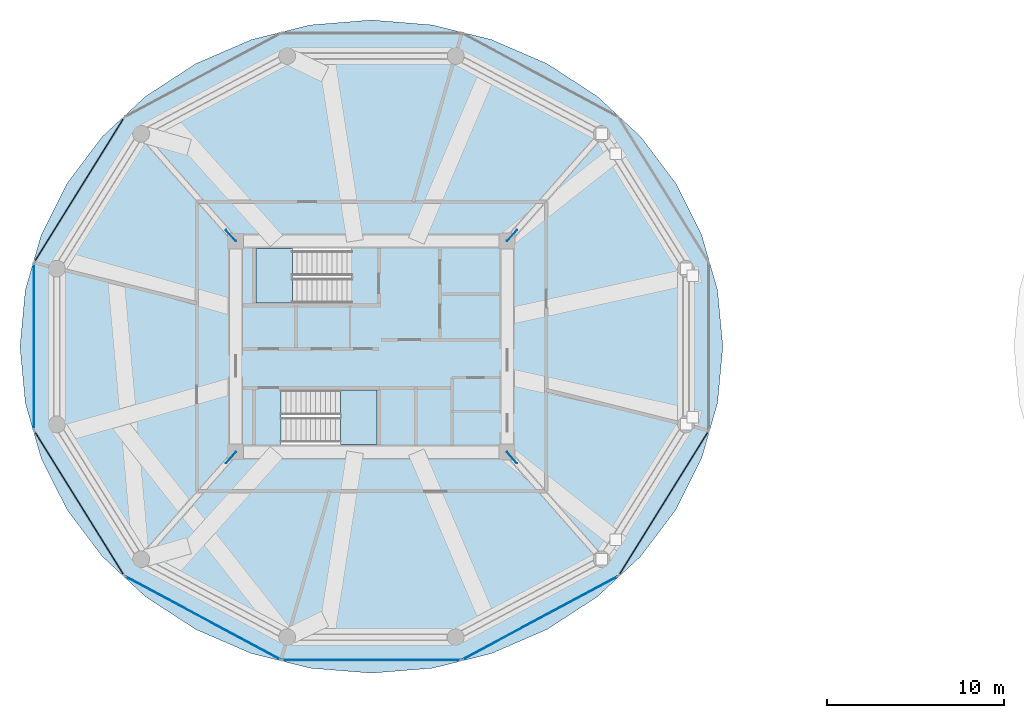
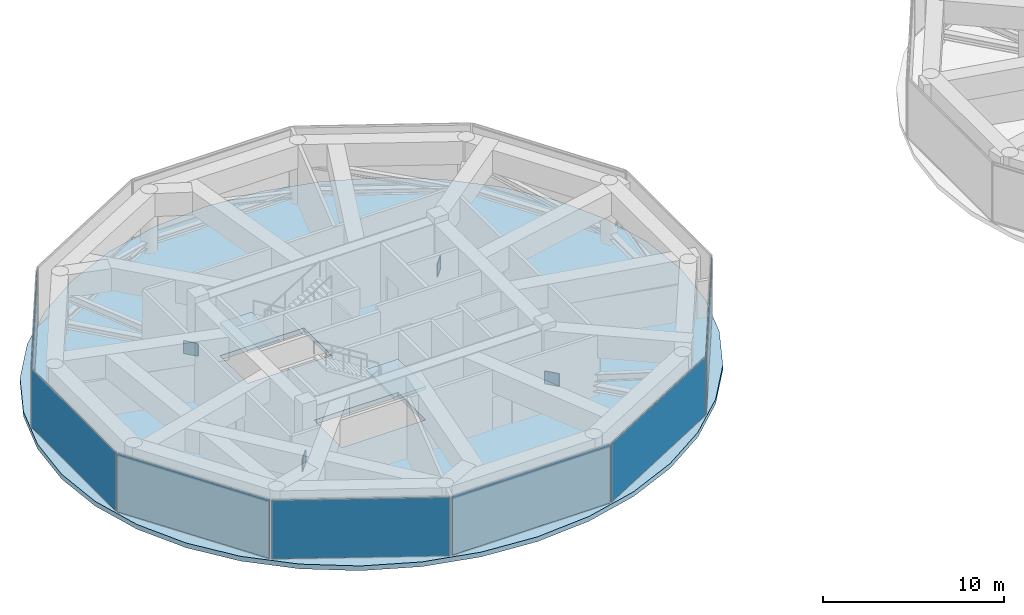
# One storey, part 13 of 22: 11 plates, 3 slabs, 9 elements without a shape of their own.
"""IFC4 building model written with IfcOpenShell, lengths in metres."""

from ifc_helpers import new_model, si_unit, direction, frame, origin, origin_2d, place, context, subcontext, project, spatial, polyline, rectangle, outline, extrude, source, transform, mapped, material, layer, layer_set, type_object, type_shapes, element, aggregate, save


model = new_model("IFC4")

# Units and contexts
model_context = context("Model", 3, precision=1e-05, world=origin(), true_north=direction((0.0, 1.0)))
body_context = subcontext(model_context, "Body", "Model", "MODEL_VIEW")
ifc_project = project(units=[si_unit("LENGTHUNIT", "METRE"), si_unit("AREAUNIT", "SQUARE_METRE"), si_unit("VOLUMEUNIT", "CUBIC_METRE"), si_unit("PLANEANGLEUNIT", "RADIAN"), si_unit("MASSUNIT", "GRAM", prefix="KILO")], contexts=[model_context])

# Site, building, storey
site_placement = place(None, origin())
site = spatial("IfcSite", under=ifc_project, at=site_placement, CompositionType="ELEMENT")
building_placement = place(site_placement, origin())
building = spatial("IfcBuilding", under=site, at=building_placement, Name="Norrkilde Senior Care Towers", CompositionType="ELEMENT")
storey_placement = place(building_placement, frame((0.0, 0.0, 73.449951171875)))
storey = spatial("IfcBuildingStorey", under=building, at=storey_placement, Name="L22", CompositionType="ELEMENT", Elevation=73.449951171875)

# Slab
ifc_material_1 = material(Name="Concrete C50/60", Category="concrete")
ifc_layer_1 = layer(ifc_material_1, 0.320068359375)
ifc_layer_set_1 = layer_set([ifc_layer_1], Name="Concrete C50/60")
slab_type_1 = type_object("IfcSlabType", Name="Podium Clinic Floor Slab 320", PredefinedType="FLOOR", material=ifc_layer_set_1)
slab_1_placement = place(storey_placement, frame((0.0, 0.0, -0.320068359375)))
element("IfcSlab", 1, at=slab_1_placement, inside=storey, type_object=slab_type_1, Name="L22 Drum W Structural Floor Slab", PredefinedType="FLOOR", context=body_context, shape_type="SweptSolid", body=[
    extrude(outline(polyline([(-9.39404296875, -6.293212890625), (-10.852783203125, -9.199951171875), (-12.832275390625, -11.827392578125), (-15.272705078125, -14.09521484375), (-18.10009765625, -15.934814453125), (-21.22802734375, -17.290283203125), (-24.561767578125, -18.120361328125), (-28.0, -18.39990234375), (-31.438232421875, -18.120361328125), (-34.77197265625, -17.290283203125), (-37.89990234375, -15.934814453125), (-40.727294921875, -14.09521484375), (-43.167724609375, -11.827392578125), (-45.147216796875, -9.199951171875), (-46.60595703125, -6.293212890625), (-47.499267578125, -3.195068359375), (-47.800048828125, 0.0), (-47.499267578125, 3.195068359375), (-46.60595703125, 6.293212890625), (-45.147216796875, 9.199951171875), (-43.167724609375, 11.827392578125), (-40.727294921875, 14.09521484375), (-37.89990234375, 15.934814453125), (-34.77197265625, 17.290283203125), (-31.438232421875, 18.120361328125), (-28.0, 18.39990234375), (-24.561767578125, 18.120361328125), (-21.22802734375, 17.290283203125), (-18.10009765625, 15.934814453125), (-15.272705078125, 14.09521484375), (-12.832275390625, 11.827392578125), (-10.852783203125, 9.199951171875), (-9.39404296875, 6.293212890625), (-8.500732421875, 3.195068359375), (-8.199951171875, 0.0), (-8.500732421875, -3.195068359375), (-9.39404296875, -6.293212890625)]), holes=[polyline([(-34.48193359375, 2.468017578125), (-29.117919921875, 2.468017578125), (-29.117919921875, 5.52490234375), (-34.48193359375, 5.52490234375), (-34.48193359375, 2.468017578125)]), polyline([(-27.718017578125, -5.52490234375), (-27.718017578125, -2.468017578125), (-33.08203125, -2.468017578125), (-33.08203125, -5.52490234375), (-27.718017578125, -5.52490234375)])]), origin(), (0.0, 0.0, 1.0), 0.320068359375),
])

# Stair, slab
ifc_material_2 = material(Name="Concrete C45/55", Category="concrete")
stair_type = type_object("IfcStairType", Name="Core Protected Dogleg Stair Refuge 4500", PredefinedType="HALF_TURN_STAIR", material=ifc_material_2)
stair_1_placement = place(storey_placement, origin())
stair_1 = element("IfcStair", 2, at=stair_1_placement, inside=storey, type_object=stair_type, Name="L22 Protected Core Stair W1", PredefinedType="HALF_TURN_STAIR")
ifc_layer_2 = layer(ifc_material_2, 0.199951171875)
ifc_layer_set_2 = layer_set([ifc_layer_2], Name="Concrete C45/55")
slab_type_2 = type_object("IfcSlabType", Name="Stair Landing Slab 200", PredefinedType="LANDING", material=ifc_layer_set_2)
slab_2_placement = place(storey_placement, frame((0.0, 0.0, 2.050048828125)))
slab_2 = element("IfcSlab", 3, at=slab_2_placement, type_object=slab_type_2, Name="ST-W1 landing 1", PredefinedType="LANDING", context=body_context, shape_type="SweptSolid", body=[
    extrude(outline(polyline([(-32.4599609375, 5.52490234375), (-34.5, 5.52490234375), (-34.5, 2.449951171875), (-32.4599609375, 2.449951171875), (-32.4599609375, 5.52490234375)])), origin(), (0.0, 0.0, 1.0), 0.199951171875),
])
aggregate(stair_1, [slab_2])

stair_2_placement = place(storey_placement, origin())
stair_2 = element("IfcStair", 4, at=stair_2_placement, inside=storey, type_object=stair_type, Name="L22 Protected Core Stair W2", PredefinedType="HALF_TURN_STAIR")
slab_3_placement = place(storey_placement, frame((0.0, 0.0, 2.050048828125)))
slab_3 = element("IfcSlab", 5, at=slab_3_placement, type_object=slab_type_2, Name="ST-W2 landing 1", PredefinedType="LANDING", context=body_context, shape_type="SweptSolid", body=[
    extrude(outline(polyline([(-29.739990234375, -5.52490234375), (-27.699951171875, -5.52490234375), (-27.699951171875, -2.449951171875), (-29.739990234375, -2.449951171875), (-29.739990234375, -5.52490234375)])), origin(), (0.0, 0.0, 1.0), 0.199951171875),
])
aggregate(stair_2, [slab_3])

# Plates
ifc_material_3 = material(Name="Steel S355", Category="steel")
ifc_layer_3 = layer(ifc_material_3, 0.034912109375)
ifc_layer_set_3 = layer_set([ifc_layer_3], Name="Steel S355")
plate_type_1 = type_object("IfcPlateType", Name="Truss Node Gusset Plate 35", PredefinedType="USERDEFINED", material=ifc_layer_set_3)
shared_shape_1 = source(origin(), body_context, "Body", "SweptSolid", [
    extrude(rectangle(XDim=0.85009765625, YDim=0.034912109375, at=origin_2d()), origin(), (0.0, 0.0, 1.0), 0.85009765625),
])
type_shapes(plate_type_1, [shared_shape_1])
for number, where, z_axis, x_axis, name in (
    (6, (-35.92138671875, -6.25732421875, 0.125), (0.0, 0.0, 1.0), (-0.661621756455, -0.749837750041, 0.0), "L22 Outrigger Node Assembly ND-1 Gusset Plate"),
    (7, (-20.07861328125, -6.25732421875, 0.125), (0.0, 0.0, 1.0), (0.661621756455, -0.749837750041, 0.0), "L22 Outrigger Node Assembly ND-2 Gusset Plate"),
    (8, (-20.07861328125, 6.25732421875, 0.125), (0.0, 0.0, 1.0), (0.661621756455, 0.749837750041, 0.0), "L22 Outrigger Node Assembly ND-3 Gusset Plate"),
    (9, (-35.92138671875, 6.25732421875, 0.125), (0.0, 0.0, 1.0), (-0.661621756455, 0.749837750041, 0.0), "L22 Outrigger Node Assembly ND-4 Gusset Plate"),
):
    element("IfcPlate", number, at=place(storey_placement, frame(where, z_axis=z_axis, x_axis=x_axis)), inside=storey, type_object=plate_type_1, Name=name, ObjectType="GUSSET_PLATE", PredefinedType="USERDEFINED", context=body_context, shape_type="MappedRepresentation", body=[
        mapped(shared_shape_1, transform((0.0, 0.0, 0.0), x_axis=(1.0, 0.0, 0.0), y_axis=(0.0, 1.0, 0.0), z_axis=(0.0, 0.0, 1.0), scale=1.0)),
    ])

# Curtain wall, plate
ifc_material_4 = material(Name="Triple Low-E Insulated Glazing", Category="glass")
ifc_layer_4 = layer(ifc_material_4, 0.18505859375)
ifc_layer_set_4 = layer_set([ifc_layer_4], Name="Triple Low-E Insulated Glazing")
curtain_wall_type = type_object("IfcCurtainWallType", Name="CW6 Zone 4 Crown Pavilion Curtain Wall", PredefinedType="NOTDEFINED", material=ifc_layer_set_4)
curtain_wall_1_placement = place(storey_placement, origin())
curtain_wall_1 = element("IfcCurtainWall", 10, at=curtain_wall_1_placement, inside=storey, type_object=curtain_wall_type, Name="L22 Drum W Curtain Wall 04", PredefinedType="NOTDEFINED")
ifc_material_5 = material(Name="Architectural Terracotta", Category="masonry")
ifc_layer_5 = layer(ifc_material_5, 0.048095703125)
ifc_layer_set_5 = layer_set([ifc_layer_5], Name="Architectural Terracotta")
plate_type_2 = type_object("IfcPlateType", Name="Insulated Terracotta Spandrel Panel 48", PredefinedType="CURTAIN_PANEL", material=ifc_layer_set_5)
shared_shape_2 = source(origin(), body_context, "Body", "SweptSolid", [
    extrude(rectangle(XDim=9.5087890625, YDim=0.048095703125, at=origin_2d()), origin(), (0.0, 0.0, 1.0), 3.949951171875),
])
plate_1_placement = place(storey_placement, frame((-44.462646484375, 8.82861328125, 0.06494140625), z_axis=(0.0, 0.0, 1.0), x_axis=(0.527900951871, 0.849305943117, 0.0)))
plate_1 = element("IfcPlate", 11, at=plate_1_placement, type_object=plate_type_2, Name="CW-6 panel 1.1", PredefinedType="CURTAIN_PANEL", context=body_context, shape_type="MappedRepresentation", body=[
    mapped(shared_shape_2, transform((0.0, 0.0, 0.0), x_axis=(1.0, 0.0, 0.0), y_axis=(0.0, 1.0, 0.0), z_axis=(0.0, 0.0, 1.0), scale=1.0)),
])
aggregate(curtain_wall_1, [plate_1])

curtain_wall_2_placement = place(storey_placement, origin())
curtain_wall_2 = element("IfcCurtainWall", 12, at=curtain_wall_2_placement, inside=storey, type_object=curtain_wall_type, Name="L22 Drum W Curtain Wall 06", PredefinedType="NOTDEFINED")
plate_2_placement = place(storey_placement, frame((-44.462646484375, -8.82861328125, 0.06494140625), z_axis=(0.0, 0.0, 1.0), x_axis=(-0.527900951871, 0.849305943117, 0.0)))
plate_2 = element("IfcPlate", 13, at=plate_2_placement, type_object=plate_type_2, Name="CW-6 panel 1.1", PredefinedType="CURTAIN_PANEL", context=body_context, shape_type="MappedRepresentation", body=[
    mapped(shared_shape_2, transform((0.0, 0.0, 0.0), x_axis=(1.0, 0.0, 0.0), y_axis=(0.0, 1.0, 0.0), z_axis=(0.0, 0.0, 1.0), scale=1.0)),
])
aggregate(curtain_wall_2, [plate_2])

curtain_wall_3_placement = place(storey_placement, origin())
curtain_wall_3 = element("IfcCurtainWall", 14, at=curtain_wall_3_placement, inside=storey, type_object=curtain_wall_type, Name="L22 Drum W Curtain Wall 10", PredefinedType="NOTDEFINED")
plate_3_placement = place(storey_placement, frame((-11.537353515625, -8.82861328125, 0.06494140625), z_axis=(0.0, 0.0, 1.0), x_axis=(-0.527900951871, -0.849305943117, 0.0)))
plate_3 = element("IfcPlate", 15, at=plate_3_placement, type_object=plate_type_2, Name="CW-6 panel 1.1", PredefinedType="CURTAIN_PANEL", context=body_context, shape_type="MappedRepresentation", body=[
    mapped(shared_shape_2, transform((0.0, 0.0, 0.0), x_axis=(1.0, 0.0, 0.0), y_axis=(0.0, 1.0, 0.0), z_axis=(0.0, 0.0, 1.0), scale=1.0)),
])
aggregate(curtain_wall_3, [plate_3])

curtain_wall_4_placement = place(storey_placement, origin())
curtain_wall_4 = element("IfcCurtainWall", 16, at=curtain_wall_4_placement, inside=storey, type_object=curtain_wall_type, Name="L22 Drum W Curtain Wall 07", PredefinedType="NOTDEFINED")
shared_shape_3 = source(origin(), body_context, "Body", "SweptSolid", [
    extrude(rectangle(XDim=9.870849609375, YDim=0.048095703125, at=origin_2d()), origin(), (0.0, 0.0, 1.0), 3.949951171875),
])
plate_4_placement = place(storey_placement, frame((-37.504638671875, -15.29150390625, 0.06494140625), z_axis=(0.0, 0.0, 1.0), x_axis=(-0.881272866403, 0.472607802456, 0.0)))
plate_4 = element("IfcPlate", 17, at=plate_4_placement, type_object=plate_type_2, Name="CW-6 panel 1.1", PredefinedType="CURTAIN_PANEL", context=body_context, shape_type="MappedRepresentation", body=[
    mapped(shared_shape_3, transform((0.0, 0.0, 0.0), x_axis=(1.0, 0.0, 0.0), y_axis=(0.0, 1.0, 0.0), z_axis=(0.0, 0.0, 1.0), scale=1.0)),
])
aggregate(curtain_wall_4, [plate_4])

curtain_wall_5_placement = place(storey_placement, origin())
curtain_wall_5 = element("IfcCurtainWall", 18, at=curtain_wall_5_placement, inside=storey, type_object=curtain_wall_type, Name="L22 Drum W Curtain Wall 09", PredefinedType="NOTDEFINED")
plate_5_placement = place(storey_placement, frame((-18.495361328125, -15.29150390625, 0.06494140625), z_axis=(0.0, 0.0, 1.0), x_axis=(-0.881272866403, -0.472607802456, 0.0)))
plate_5 = element("IfcPlate", 19, at=plate_5_placement, type_object=plate_type_2, Name="CW-6 panel 1.1", PredefinedType="CURTAIN_PANEL", context=body_context, shape_type="MappedRepresentation", body=[
    mapped(shared_shape_3, transform((0.0, 0.0, 0.0), x_axis=(1.0, 0.0, 0.0), y_axis=(0.0, 1.0, 0.0), z_axis=(0.0, 0.0, 1.0), scale=1.0)),
])
aggregate(curtain_wall_5, [plate_5])

curtain_wall_6_placement = place(storey_placement, origin())
curtain_wall_6 = element("IfcCurtainWall", 20, at=curtain_wall_6_placement, inside=storey, type_object=curtain_wall_type, Name="L22 Drum W Curtain Wall 08", PredefinedType="NOTDEFINED")
shared_shape_4 = source(origin(), body_context, "Body", "SweptSolid", [
    extrude(rectangle(XDim=10.047119140625, YDim=0.048095703125, at=origin_2d()), origin(), (0.0, 0.0, 1.0), 3.949951171875),
])
plate_6_placement = place(storey_placement, frame((-28.0, -17.6572265625, 0.06494140625), z_axis=(0.0, 0.0, 1.0), x_axis=(-1.0, 0.0, 0.0)))
plate_6 = element("IfcPlate", 21, at=plate_6_placement, type_object=plate_type_2, Name="CW-6 panel 1.1", PredefinedType="CURTAIN_PANEL", context=body_context, shape_type="MappedRepresentation", body=[
    mapped(shared_shape_4, transform((0.0, 0.0, 0.0), x_axis=(1.0, 0.0, 0.0), y_axis=(0.0, 1.0, 0.0), z_axis=(0.0, 0.0, 1.0), scale=1.0)),
])
aggregate(curtain_wall_6, [plate_6])

curtain_wall_7_placement = place(storey_placement, origin())
curtain_wall_7 = element("IfcCurtainWall", 22, at=curtain_wall_7_placement, inside=storey, type_object=curtain_wall_type, Name="L22 Drum W Curtain Wall 05", PredefinedType="NOTDEFINED")
shared_shape_5 = source(origin(), body_context, "Body", "SweptSolid", [
    extrude(rectangle(XDim=9.322509765625, YDim=0.048095703125, at=origin_2d()), origin(), (0.0, 0.0, 1.0), 3.949951171875),
])
type_shapes(plate_type_2, [shared_shape_2, shared_shape_3, shared_shape_4, shared_shape_5])
plate_7_placement = place(storey_placement, frame((-47.009521484375, 0.0, 0.06494140625), z_axis=(0.0, 0.0, 1.0), x_axis=(0.0, 1.0, 0.0)))
plate_7 = element("IfcPlate", 23, at=plate_7_placement, type_object=plate_type_2, Name="CW-6 panel 1.1", PredefinedType="CURTAIN_PANEL", context=body_context, shape_type="MappedRepresentation", body=[
    mapped(shared_shape_5, transform((0.0, 0.0, 0.0), x_axis=(1.0, 0.0, 0.0), y_axis=(0.0, 1.0, 0.0), z_axis=(0.0, 0.0, 1.0), scale=1.0)),
])
aggregate(curtain_wall_7, [plate_7])

save(model, "model.ifc")
